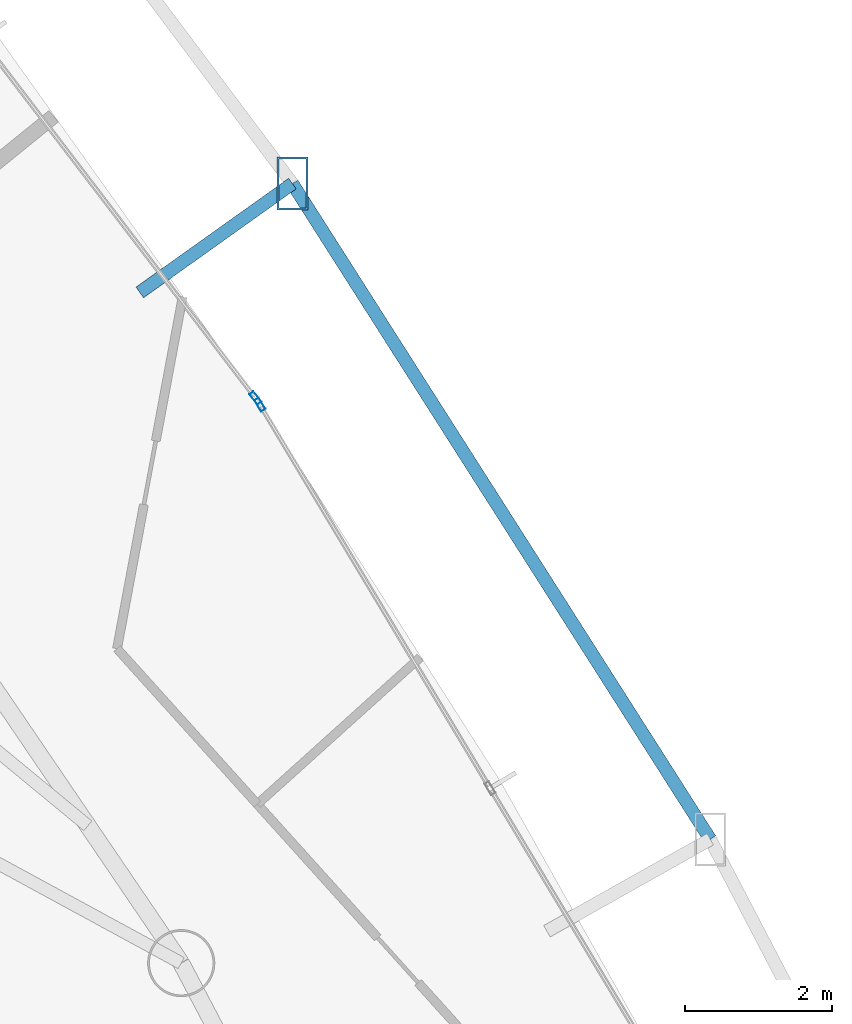
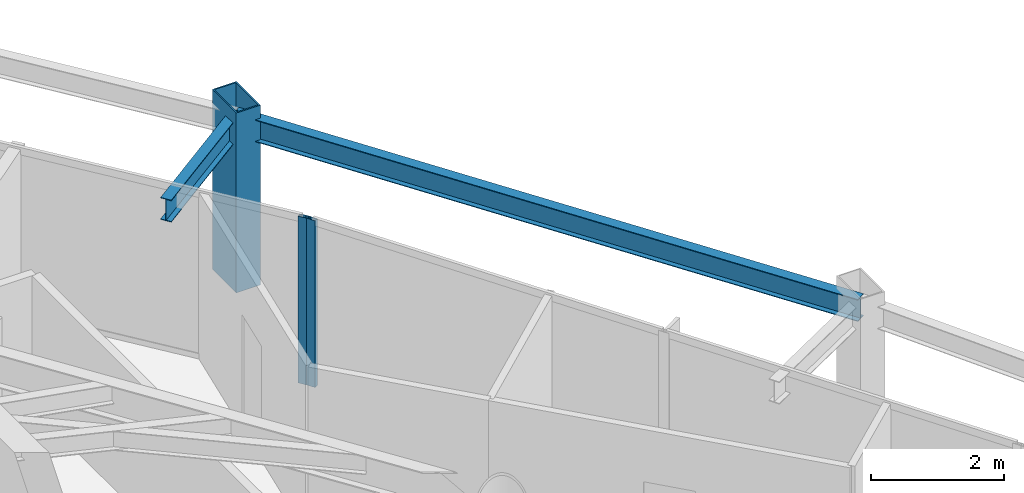
# One storey, part 26 of 34: 3 members, 2 beams, 2 elements without a shape of their own.
"""IFC4 building model written with IfcOpenShell, lengths in metres."""

from ifc_helpers import new_model, si_unit, direction, frame, origin, origin_2d, place, context, subcontext, project, spatial, hollow_rectangle, i_section, extrude, material, layer, layer_set, material_profile, profile_set, type_object, element, aggregate, save


model = new_model("IFC4")

# Units and contexts
model_context = context("Model", 3, precision=1e-05, world=origin(), true_north=direction((0.0, 1.0)))
body_context = subcontext(model_context, "Body", "Model", "MODEL_VIEW")
ifc_project = project(units=[si_unit("LENGTHUNIT", "METRE"), si_unit("AREAUNIT", "SQUARE_METRE"), si_unit("VOLUMEUNIT", "CUBIC_METRE"), si_unit("PLANEANGLEUNIT", "RADIAN"), si_unit("MASSUNIT", "GRAM", prefix="KILO")], contexts=[model_context])

# Site, building, storey
site_placement = place(None, origin())
site = spatial("IfcSite", under=ifc_project, at=site_placement, CompositionType="ELEMENT")
building_placement = place(site_placement, origin())
building = spatial("IfcBuilding", under=site, at=building_placement, Name="Orvanel Arch Residences", CompositionType="ELEMENT")
storey_placement = place(building_placement, frame((0.0, 0.0, 77.449951171875)))
storey = spatial("IfcBuildingStorey", under=building, at=storey_placement, Name="L21", CompositionType="ELEMENT", Elevation=77.449951171875)

# Member
ifc_material_1 = material(Name="Structural steel AS/NZS 3678 Grade 350", Category="steel")
ifc_material_profile_1 = material_profile(ifc_material_1, hollow_rectangle(XDim=0.419921875, YDim=0.719970703125, WallThickness=0.02490234375, at=origin_2d()), Name="RHS720x420x25")
ifc_profile_set_1 = profile_set([ifc_material_profile_1], Name="Structural steel AS/NZS 3678 Grade 350")
member_type_1 = type_object("IfcMemberType", Name="CH-720RHS-EXT", PredefinedType="CHORD", material=ifc_profile_set_1)
member_1_placement = place(storey_placement, frame((46.943115234375, 38.2451171875, 0.0), z_axis=(0.0, 0.0, 1.0), x_axis=(1.0, 0.0, 0.0)))
element("IfcMember", 1, at=member_1_placement, inside=storey, type_object=member_type_1, Name="L21 Outer Perimeter Frame Post 11", PredefinedType="CHORD", context=body_context, shape_type="SweptSolid", body=[
    extrude(hollow_rectangle(XDim=0.419921875, YDim=0.719970703125, WallThickness=0.02490234375, at=origin_2d()), origin(), (0.0, 0.0, 1.0), 3.300048828125),
])

# Curtain wall, member
ifc_material_2 = material(Name="Bronze-anodised aluminium AA6063-T6", Category="aluminium")
ifc_layer = layer(ifc_material_2, 0.179931640625)
ifc_layer_set = layer_set([ifc_layer], Name="Bronze-anodised aluminium AA6063-T6")
curtain_wall_type = type_object("IfcCurtainWallType", Name="CW2-LOW-SYS", PredefinedType="NOTDEFINED", material=ifc_layer_set)
curtain_wall_1_placement = place(storey_placement, origin())
curtain_wall_1 = element("IfcCurtainWall", 2, at=curtain_wall_1_placement, inside=storey, type_object=curtain_wall_type, Name="L21 CW2-LOW-SYS Unitised Curtain Wall", PredefinedType="NOTDEFINED")
ifc_material_profile_2 = material_profile(ifc_material_2, hollow_rectangle(XDim=0.070068359375, YDim=0.179931640625, WallThickness=0.00439453125, at=origin_2d()), Name="ALU180x70x4.5")
ifc_profile_set_2 = profile_set([ifc_material_profile_2], Name="Bronze-anodised aluminium AA6063-T6")
member_type_2 = type_object("IfcMemberType", Name="MUL-180x70", PredefinedType="MULLION", material=ifc_profile_set_2)
member_2_placement = place(storey_placement, frame((46.501953125, 35.239013671875, 0.0), z_axis=(0.0, 0.0, 1.0), x_axis=(-0.85755059276, -0.514399631471, 0.0)))
member_2 = element("IfcMember", 3, at=member_2_placement, type_object=member_type_2, Name="CW-S2 mullion 3", PredefinedType="MULLION", context=body_context, shape_type="SweptSolid", body=[
    extrude(hollow_rectangle(XDim=0.070068359375, YDim=0.179931640625, WallThickness=0.00439453125, at=origin_2d()), origin(), (0.0, 0.0, 1.0), 3.06005859375),
])
aggregate(curtain_wall_1, [member_2])

curtain_wall_2_placement = place(storey_placement, origin())
curtain_wall_2 = element("IfcCurtainWall", 4, at=curtain_wall_2_placement, inside=storey, type_object=curtain_wall_type, Name="L21 CW2-LOW-SYS Unitised Curtain Wall", PredefinedType="NOTDEFINED")
member_3_placement = place(storey_placement, frame((46.440673828125, 35.329833984375, 0.0), z_axis=(0.0, 0.0, 1.0), x_axis=(-0.794739834664, -0.606950241122, 0.0)))
member_3 = element("IfcMember", 5, at=member_3_placement, type_object=member_type_2, Name="CW-S2 mullion 1", PredefinedType="MULLION", context=body_context, shape_type="SweptSolid", body=[
    extrude(hollow_rectangle(XDim=0.070068359375, YDim=0.179931640625, WallThickness=0.00439453125, at=origin_2d()), origin(), (0.0, 0.0, 1.0), 3.06005859375),
])
aggregate(curtain_wall_2, [member_3])

# Beams
ifc_material_3 = material(Name="Structural steel AS/NZS 3679.1 Grade 300 (300 MPa)", Category="steel")
ifc_material_profile_3 = material_profile(ifc_material_3, i_section(OverallWidth=0.177978515625, OverallDepth=0.406005859375, WebThickness=0.0078125, FlangeThickness=0.0126953125, at=origin_2d()), Name="410UB59.7")
ifc_profile_set_3 = profile_set([ifc_material_profile_3], Name="Structural steel AS/NZS 3679.1 Grade 300 (300 MPa)")
beam_type = type_object("IfcBeamType", Name="OB-410UB-EXT", PredefinedType="SPANDREL", material=ifc_profile_set_3)
beam_1_placement = place(storey_placement, frame((52.6279296875, 29.324951171875, 2.85693359375), z_axis=(-0.537436916065, 0.843303955434, 0.0), x_axis=(-0.843303955434, -0.537436916065, 0.0)))
element("IfcBeam", 6, at=beam_1_placement, inside=storey, type_object=beam_type, Name="L21 Outer Perimeter Floor Ring Beam 10", PredefinedType="SPANDREL", context=body_context, shape_type="SweptSolid", body=[
    extrude(i_section(OverallWidth=0.177978515625, OverallDepth=0.406005859375, WebThickness=0.0078125, FlangeThickness=0.0126953125, at=origin_2d()), origin(), (0.0, 0.0, 1.0), 10.57763671875),
])
beam_2_placement = place(storey_placement, frame((44.866943359375, 36.764892578125, 2.85693359375), z_axis=(0.814244245962, 0.58052244394, 0.0), x_axis=(-0.58052244394, 0.814244245962, 0.0)))
element("IfcBeam", 7, at=beam_2_placement, inside=storey, type_object=beam_type, Name="L21 Outer Frame Radial Tie Beam 11", PredefinedType="SPANDREL", context=body_context, shape_type="SweptSolid", body=[
    extrude(i_section(OverallWidth=0.177978515625, OverallDepth=0.406005859375, WebThickness=0.0078125, FlangeThickness=0.0126953125, at=origin_2d()), origin(), (0.0, 0.0, 1.0), 2.5498046875),
])

save(model, "model.ifc")
